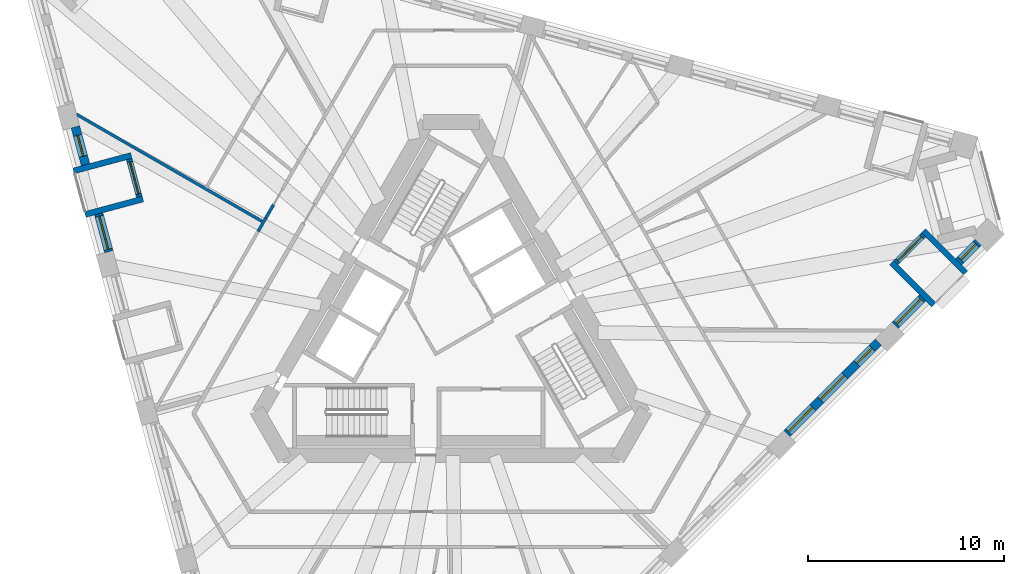
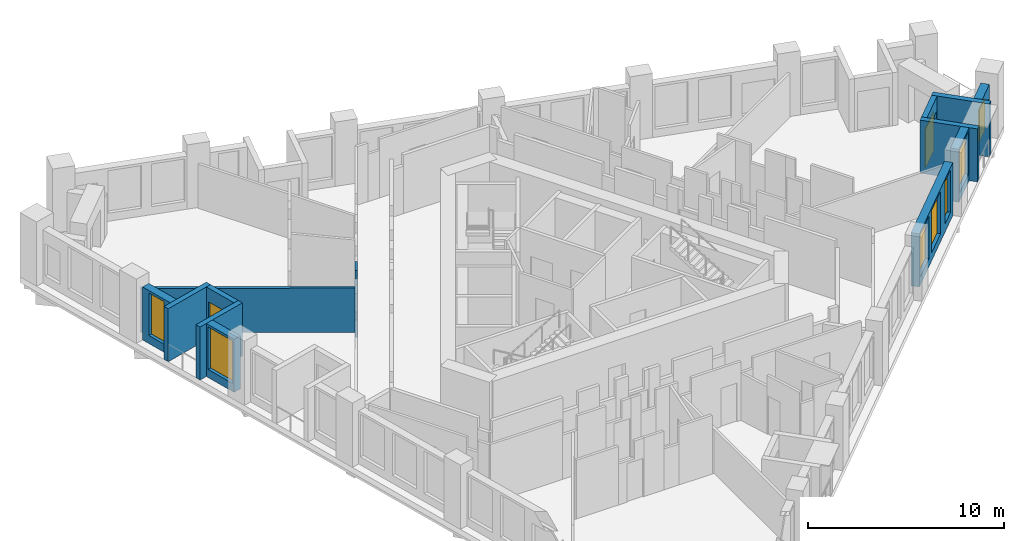
# One storey, part 6 of 13: 14 walls, 7 windows, 2 doors, 9 openings.
"""IFC4 building model written with IfcOpenShell, lengths in metres."""

import ifcopenshell
import ifcopenshell.guid

model = None  # the IFC model being written
_history = None  # IfcOwnerHistory: only IFC2X3 demands one
_inside = {}  # id of a spatial element -> (the spatial element, [elements in it])
_under = {}  # id of a project, library or spatial element -> (it, [spatial elements below it])
_declared = {}  # id of a project -> (the project, [libraries it declares])
_typed = {}  # id of a type object -> (the type object, [elements of that type])
_made_of = {}  # id of a material, layer set ... -> (it, [elements and type objects made of it])


def new_model(schema):
    """Start an empty IFC model of exactly this schema.

    Asked for "IFC4X3", IfcOpenShell would pick the latest addendum, in which some entities
    have other attributes; the version numbers below select the first issue.
    IFC2X3 requires an IfcOwnerHistory on every rooted entity: one is made here for all.
    """
    global model, _history
    if schema == "IFC4X3":
        model = ifcopenshell.file(schema_version=(4, 3, 0, 0))
    else:
        model = ifcopenshell.file(schema=schema)
    _inside.clear()
    _under.clear()
    _declared.clear()
    _typed.clear()
    _made_of.clear()
    _history = None
    if model.schema == "IFC2X3":
        org = make("IfcOrganization", Name="unknown")
        user = make(
            "IfcPersonAndOrganization",
            ThePerson=make("IfcPerson", FamilyName="unknown"),
            TheOrganization=org,
        )
        app = make(
            "IfcApplication",
            ApplicationDeveloper=org,
            Version="unknown",
            ApplicationFullName="unknown",
            ApplicationIdentifier="unknown",
        )
        _history = make(
            "IfcOwnerHistory",
            OwningUser=user,
            OwningApplication=app,
            ChangeAction="ADDED",
            CreationDate=0,
        )
    return model


def make(cls, **values):
    """One entity of the class cls with the attributes given. An attribute that is None is left unset."""
    return model.create_entity(
        cls, **{name: value for name, value in values.items() if value is not None}
    )


def rooted(cls, **values):
    """An entity with a GlobalId (a new one), such as an element, a storey or a relation."""
    return make(cls, GlobalId=ifcopenshell.guid.new(), OwnerHistory=_history, **values)


def si_unit(unit_type, name, prefix=None):
    """IfcSIUnit, for example si_unit("LENGTHUNIT", "METRE", prefix="MILLI")."""
    return make("IfcSIUnit", UnitType=unit_type, Prefix=prefix, Name=name)


def assignment(units):
    """IfcUnitAssignment: the units of a project."""
    return None if units is None else make("IfcUnitAssignment", Units=units)


def point(xyz):
    """IfcCartesianPoint."""
    return None if xyz is None else make("IfcCartesianPoint", Coordinates=xyz)


def direction(xyz):
    """IfcDirection."""
    return None if xyz is None else make("IfcDirection", DirectionRatios=xyz)


def frame(location, z_axis=None, x_axis=None):
    """IfcAxis2Placement3D, a coordinate frame: its origin and axes. An axis left out is left unset."""
    return make(
        "IfcAxis2Placement3D",
        Location=point(location),
        Axis=direction(z_axis),
        RefDirection=direction(x_axis),
    )


def frame_2d(location, x_axis=None):
    """IfcAxis2Placement2D, a coordinate frame in the plane: its origin and x axis."""
    return make(
        "IfcAxis2Placement2D", Location=point(location), RefDirection=direction(x_axis)
    )


def origin():
    """The frame at (0, 0, 0) with its axes left unset."""
    return frame((0.0, 0.0, 0.0))


def place(relative_to, where):
    """IfcLocalPlacement: puts the frame where relative to a parent placement (None: the world)."""
    return make(
        "IfcLocalPlacement", PlacementRelTo=relative_to, RelativePlacement=where
    )


def context(
    kind, dimensions, precision=None, world=None, true_north=None, identifier=None
):
    """IfcGeometricRepresentationContext, for example the 3D "Model" context."""
    return make(
        "IfcGeometricRepresentationContext",
        ContextIdentifier=identifier,
        ContextType=kind,
        CoordinateSpaceDimension=dimensions,
        Precision=precision,
        WorldCoordinateSystem=world,
        TrueNorth=true_north,
    )


def subcontext(parent, identifier, kind, view, scale=None):
    """IfcGeometricRepresentationSubContext, for example "Body" below "Model"."""
    return make(
        "IfcGeometricRepresentationSubContext",
        ContextIdentifier=identifier,
        ContextType=kind,
        ParentContext=parent,
        TargetScale=scale,
        TargetView=view,
    )


def project(units=None, contexts=None):
    """IfcProject with its units and contexts."""
    return rooted(
        "IfcProject",
        Name="project",
        RepresentationContexts=contexts,
        UnitsInContext=assignment(units),
    )


def spatial(cls, under=None, at=None, **own):
    """A site, building, storey or space (cls), placed at a placement, below another one or the project."""
    s = rooted(cls, ObjectPlacement=at, **own)
    if under is not None:
        _under.setdefault(under.id(), (under, []))[1].append(s)
    return s


def profile(cls, at=None, kind="AREA", **sizes):
    """A parametric profile (cls). Its sizes go by their IFC names, for example OverallWidth=200.0."""
    return make(cls, ProfileType=kind, Position=at, **sizes)


def rectangle(**sizes):
    """IfcRectangleProfileDef."""
    return profile("IfcRectangleProfileDef", **sizes)


def extrude(swept, where, along, depth):
    """IfcExtrudedAreaSolid: the profile swept, set in the frame where, extruded along a direction by depth."""
    return make(
        "IfcExtrudedAreaSolid",
        SweptArea=swept,
        Position=where,
        ExtrudedDirection=direction(along),
        Depth=depth,
    )


def shape(context_of_items, identifier, shape_type, items):
    """IfcShapeRepresentation: the items that make up one representation, for example the "Body"."""
    return make(
        "IfcShapeRepresentation",
        ContextOfItems=context_of_items,
        RepresentationIdentifier=identifier,
        RepresentationType=shape_type,
        Items=items,
    )


def material(Name=None, Category=None):
    """IfcMaterial."""
    return make("IfcMaterial", Name=Name, Category=Category)


def layer(
    of_material, thickness, ventilated=None, Name=None, Category=None, Priority=None
):
    """IfcMaterialLayer: one layer of a wall or slab, of a material (None: an air gap)."""
    return make(
        "IfcMaterialLayer",
        Material=of_material,
        LayerThickness=thickness,
        IsVentilated=ventilated,
        Name=Name,
        Category=Category,
        Priority=Priority,
    )


def layer_set(layers, Name=None):
    """IfcMaterialLayerSet."""
    return make("IfcMaterialLayerSet", MaterialLayers=layers, LayerSetName=Name)


def made_of(thing, what):
    """Note that an element or type object is made of a material, layer set ...; save() writes the relation."""
    if what is not None:
        _made_of.setdefault(what.id(), (what, []))[1].append(thing)
    return thing


def type_object(cls, material=None, **own):
    """A type object (cls), such as IfcWallType, which elements share."""
    return made_of(rooted(cls, **own), material)


def element(
    cls,
    number,
    at=None,
    inside=None,
    cuts=None,
    type_object=None,
    material=None,
    context=None,
    identifier="Body",
    shape_type=None,
    held_by="IfcProductDefinitionShape",
    body=None,
    shapes=None,
    **own,
):
    """One element of the class cls, such as IfcWall. Its Tag is "e" and its number.

    at: its placement. inside: the storey or other place that contains it. cuts: it is an
    opening in that element (IfcRelVoidsElement). A single representation is given by context,
    identifier, shape_type and body (its items); several are given by shapes. held_by: the class
    of the entity that holds the representations. save() writes the other relations.
    """
    e = rooted(cls, Tag="e%d" % number, ObjectPlacement=at, **own)
    if body is not None:
        shapes = [shape(context, identifier, shape_type, body)]
    if shapes is not None:
        e.Representation = make(held_by, Representations=shapes)
    if inside is not None:
        _inside.setdefault(inside.id(), (inside, []))[1].append(e)
    if cuts is not None:
        rooted(
            "IfcRelVoidsElement", RelatingBuildingElement=cuts, RelatedOpeningElement=e
        )
    if type_object is not None:
        _typed.setdefault(type_object.id(), (type_object, []))[1].append(e)
    return made_of(e, material)


def fill(opening, filler):
    """IfcRelFillsElement: the door or window that sits in an opening."""
    return rooted(
        "IfcRelFillsElement",
        RelatingOpeningElement=opening,
        RelatedBuildingElement=filler,
    )


def aggregate(whole, parts):
    """IfcRelAggregates: a whole, such as a stair, and the parts it consists of."""
    return rooted("IfcRelAggregates", RelatingObject=whole, RelatedObjects=parts)


def save(model, path):
    """Write the relations noted so far, then the file.

    IfcRelAggregates (storeys below a building ...), IfcRelContainedInSpatialStructure (elements
    in a storey), IfcRelDefinesByType, IfcRelAssociatesMaterial and IfcRelDeclares: one each for
    every whole, place, type object, material and project.
    """
    for whole, parts in _under.values():
        aggregate(whole, parts)
    for where, things in _inside.values():
        rooted(
            "IfcRelContainedInSpatialStructure",
            RelatedElements=things,
            RelatingStructure=where,
        )
    for kind, things in _typed.values():
        rooted("IfcRelDefinesByType", RelatedObjects=things, RelatingType=kind)
    for what, things in _made_of.values():
        rooted("IfcRelAssociatesMaterial", RelatedObjects=things, RelatingMaterial=what)
    for by, libraries in _declared.values():
        rooted("IfcRelDeclares", RelatingContext=by, RelatedDefinitions=libraries)
    model.write(path)


model = new_model("IFC4")

# Units and contexts
model_context = context("Model", 3, precision=1e-05, world=origin(), true_north=direction((0.0, 1.0)))
body_context = subcontext(model_context, "Body", "Model", "MODEL_VIEW")
ifc_project = project(units=[si_unit("LENGTHUNIT", "METRE"), si_unit("AREAUNIT", "SQUARE_METRE"), si_unit("VOLUMEUNIT", "CUBIC_METRE"), si_unit("PLANEANGLEUNIT", "RADIAN"), si_unit("MASSUNIT", "GRAM", prefix="KILO")], contexts=[model_context])

# Site, building, storey
site_placement = place(None, origin())
site = spatial("IfcSite", under=ifc_project, at=site_placement, CompositionType="ELEMENT")
building_placement = place(site_placement, origin())
building = spatial("IfcBuilding", under=site, at=building_placement, Name="Tramontana Tower", CompositionType="ELEMENT")
storey_placement = place(building_placement, frame((0.0, 0.0, 204.0)))
storey = spatial("IfcBuildingStorey", under=building, at=storey_placement, Name="L47", CompositionType="ELEMENT", Elevation=204.0)

# Wall, opening, window
ifc_material_1 = material(Name="Precast concrete 60 MPa", Category="concrete")
ifc_layer_1 = layer(ifc_material_1, 0.449951171875)
ifc_layer_set_1 = layer_set([ifc_layer_1], Name="Precast concrete 60 MPa, 450 mm")
wall_type_1 = type_object("IfcWallType", Name="EW1 Stone-faced precast wall 450", PredefinedType="SOLIDWALL", material=ifc_layer_set_1)
wall_1_placement = place(storey_placement, frame((-19.1650390625, 10.3818359375, 0.0), z_axis=(0.0, 0.0, 1.0), x_axis=(0.258803270362, -0.96593005298, 0.0)))
wall_1 = element("IfcWall", 1, at=wall_1_placement, inside=storey, type_object=wall_type_1, Name="External wall L47 face 0 bay 2", PredefinedType="SOLIDWALL", context=body_context, shape_type="SweptSolid", body=[
    extrude(rectangle(XDim=1.998046875, YDim=0.449951171875, at=frame_2d((0.9990234375, 0.0))), origin(), (0.0, 0.0, 1.0), 3.300048828125),
])
opening_1_placement = place(wall_1_placement, frame((0.448974609375, 0.0, 0.5)))
opening_1 = element("IfcOpeningElement", 2, at=opening_1_placement, cuts=wall_1, Name="Opening N2", PredefinedType="OPENING", context=body_context, shape_type="SweptSolid", body=[
    extrude(rectangle(XDim=1.10009765625, YDim=2.64990234375, at=frame_2d((0.550048828125, 1.324951171875))), frame((0.0, 0.23486328125, 0.0), z_axis=(0.0, -1.0, 0.0), x_axis=(1.0, 0.0, 0.0)), (0.0, 0.0, 1.0), 0.469970703125),
])
ifc_material_2 = material(Name="Aluminum frame, double glazing unit", Category="aluminium")
window_type_1 = type_object("IfcWindowType", Name="N2 Window 1.1 x 2.65", PartitioningType="SINGLE_PANEL", PredefinedType="WINDOW", material=ifc_material_2)
window_1_placement = place(opening_1_placement, origin())
window_1 = element("IfcWindow", 3, at=window_1_placement, inside=storey, type_object=window_type_1, Name="Window N2 L47 face 0 module 4", OverallHeight=2.64990234375, OverallWidth=1.10009765625, PartitioningType="SINGLE_PANEL", PredefinedType="WINDOW", context=body_context, shape_type="SweptSolid", body=[
    extrude(rectangle(XDim=1.10009765625, YDim=2.64990234375, at=frame_2d((0.550048828125, 1.324951171875))), frame((0.0, 0.030029296875, 0.0), z_axis=(0.0, -1.0, 0.0), x_axis=(1.0, 0.0, 0.0)), (0.0, 0.0, 1.0), 0.06005859375),
])
fill(opening_1, window_1)

wall_2_placement = place(storey_placement, frame((-17.9755859375, 5.9423828125, 0.0), z_axis=(0.0, 0.0, 1.0), x_axis=(0.25891727291, -0.965899500874, 0.0)))
wall_2 = element("IfcWall", 4, at=wall_2_placement, inside=storey, type_object=wall_type_1, Name="External wall L47 face 0 bay 2", PredefinedType="SOLIDWALL", context=body_context, shape_type="SweptSolid", body=[
    extrude(rectangle(XDim=1.998046875, YDim=0.449951171875, at=frame_2d((0.9990234375, 0.0))), origin(), (0.0, 0.0, 1.0), 3.300048828125),
])
opening_2_placement = place(wall_2_placement, frame((0.1240234375, 0.0, 0.5)))
opening_2 = element("IfcOpeningElement", 5, at=opening_2_placement, cuts=wall_2, Name="Opening M2", PredefinedType="OPENING", context=body_context, shape_type="SweptSolid", body=[
    extrude(rectangle(XDim=1.75, YDim=2.64990234375, at=frame_2d((0.875, 1.324951171875))), frame((0.0, 0.23486328125, 0.0), z_axis=(0.0, -1.0, 0.0), x_axis=(1.0, 0.0, 0.0)), (0.0, 0.0, 1.0), 0.469970703125),
])
ifc_material_3 = material(Name="Aluminum frame, double glazing unit", Category="aluminium")
window_type_2 = type_object("IfcWindowType", Name="M2 Window 1.75 x 2.65", PartitioningType="SINGLE_PANEL", PredefinedType="WINDOW", material=ifc_material_3)
window_2_placement = place(opening_2_placement, origin())
window_2 = element("IfcWindow", 6, at=window_2_placement, inside=storey, type_object=window_type_2, Name="Window M2 L47 face 0 module 6", OverallHeight=2.64990234375, OverallWidth=1.75, PartitioningType="SINGLE_PANEL", PredefinedType="WINDOW", context=body_context, shape_type="SweptSolid", body=[
    extrude(rectangle(XDim=1.75, YDim=2.64990234375, at=frame_2d((0.875, 1.324951171875))), frame((0.0, 0.030029296875, 0.0), z_axis=(0.0, -1.0, 0.0), x_axis=(1.0, 0.0, 0.0)), (0.0, 0.0, 1.0), 0.06005859375),
])
fill(opening_2, window_2)

# Wall, openings, windows
wall_3_placement = place(storey_placement, frame((17.12548828125, -5.25439453125, 0.0), z_axis=(0.0, 0.0, 1.0), x_axis=(0.707106781187, 0.707106781187, 0.0)))
wall_3 = element("IfcWall", 7, at=wall_3_placement, inside=storey, type_object=wall_type_1, Name="External wall L47 face 1 bay 5", PredefinedType="SOLIDWALL", context=body_context, shape_type="SweptSolid", body=[
    extrude(rectangle(XDim=6.59423828125, YDim=0.449951171875, at=frame_2d((3.297119140625, 0.0))), origin(), (0.0, 0.0, 1.0), 3.300048828125),
])
opening_3_placement = place(wall_3_placement, frame((0.1240234375, 0.0, 0.5)))
opening_3 = element("IfcOpeningElement", 8, at=opening_3_placement, cuts=wall_3, Name="Opening M2", PredefinedType="OPENING", context=body_context, shape_type="SweptSolid", body=[
    extrude(rectangle(XDim=1.75, YDim=2.64990234375, at=frame_2d((0.875, 1.324951171875))), frame((0.0, 0.23486328125, 0.0), z_axis=(0.0, -1.0, 0.0), x_axis=(1.0, 0.0, 0.0)), (0.0, 0.0, 1.0), 0.469970703125),
])
opening_4_placement = place(wall_3_placement, frame((2.422119140625, 0.0, 0.5)))
opening_4 = element("IfcOpeningElement", 9, at=opening_4_placement, cuts=wall_3, Name="Opening M2", PredefinedType="OPENING", context=body_context, shape_type="SweptSolid", body=[
    extrude(rectangle(XDim=1.75, YDim=2.64990234375, at=frame_2d((0.875, 1.324951171875))), frame((0.0, 0.23486328125, 0.0), z_axis=(0.0, -1.0, 0.0), x_axis=(1.0, 0.0, 0.0)), (0.0, 0.0, 1.0), 0.469970703125),
])
opening_5_placement = place(wall_3_placement, frame((5.045166015625, 0.0, 0.5)))
opening_5 = element("IfcOpeningElement", 10, at=opening_5_placement, cuts=wall_3, Name="Opening N2", PredefinedType="OPENING", context=body_context, shape_type="SweptSolid", body=[
    extrude(rectangle(XDim=1.10009765625, YDim=2.64990234375, at=frame_2d((0.550048828125, 1.324951171875))), frame((0.0, 0.23486328125, 0.0), z_axis=(0.0, -1.0, 0.0), x_axis=(1.0, 0.0, 0.0)), (0.0, 0.0, 1.0), 0.469970703125),
])
window_3_placement = place(opening_3_placement, origin())
window_3 = element("IfcWindow", 11, at=window_3_placement, inside=storey, type_object=window_type_2, Name="Window M2 L47 face 1 module 13", OverallHeight=2.64990234375, OverallWidth=1.75, PartitioningType="SINGLE_PANEL", PredefinedType="WINDOW", context=body_context, shape_type="SweptSolid", body=[
    extrude(rectangle(XDim=1.75, YDim=2.64990234375, at=frame_2d((0.875, 1.324951171875))), frame((0.0, 0.030029296875, 0.0), z_axis=(0.0, -1.0, 0.0), x_axis=(1.0, 0.0, 0.0)), (0.0, 0.0, 1.0), 0.06005859375),
])
fill(opening_3, window_3)
window_4_placement = place(opening_4_placement, origin())
window_4 = element("IfcWindow", 12, at=window_4_placement, inside=storey, type_object=window_type_2, Name="Window M2 L47 face 1 module 14", OverallHeight=2.64990234375, OverallWidth=1.75, PartitioningType="SINGLE_PANEL", PredefinedType="WINDOW", context=body_context, shape_type="SweptSolid", body=[
    extrude(rectangle(XDim=1.75, YDim=2.64990234375, at=frame_2d((0.875, 1.324951171875))), frame((0.0, 0.030029296875, 0.0), z_axis=(0.0, -1.0, 0.0), x_axis=(1.0, 0.0, 0.0)), (0.0, 0.0, 1.0), 0.06005859375),
])
fill(opening_4, window_4)
window_5_placement = place(opening_5_placement, origin())
window_5 = element("IfcWindow", 13, at=window_5_placement, inside=storey, type_object=window_type_1, Name="Window N2 L47 face 1 module 15", OverallHeight=2.64990234375, OverallWidth=1.10009765625, PartitioningType="SINGLE_PANEL", PredefinedType="WINDOW", context=body_context, shape_type="SweptSolid", body=[
    extrude(rectangle(XDim=1.10009765625, YDim=2.64990234375, at=frame_2d((0.550048828125, 1.324951171875))), frame((0.0, 0.030029296875, 0.0), z_axis=(0.0, -1.0, 0.0), x_axis=(1.0, 0.0, 0.0)), (0.0, 0.0, 1.0), 0.06005859375),
])
fill(opening_5, window_5)

# Wall, opening, window
wall_4_placement = place(storey_placement, frame((22.636962890625, 0.257080078125, 0.0), z_axis=(0.0, 0.0, 1.0), x_axis=(0.707106781187, 0.707106781187, 0.0)))
wall_4 = element("IfcWall", 14, at=wall_4_placement, inside=storey, type_object=wall_type_1, Name="External wall L47 face 1 bay 6", PredefinedType="SOLIDWALL", context=body_context, shape_type="SweptSolid", body=[
    extrude(rectangle(XDim=1.998046875, YDim=0.449951171875, at=frame_2d((0.9990234375, 0.0))), origin(), (0.0, 0.0, 1.0), 3.300048828125),
])
opening_6_placement = place(wall_4_placement, frame((0.1240234375, 0.0, 0.5)))
opening_6 = element("IfcOpeningElement", 15, at=opening_6_placement, cuts=wall_4, Name="Opening M2", PredefinedType="OPENING", context=body_context, shape_type="SweptSolid", body=[
    extrude(rectangle(XDim=1.75, YDim=2.64990234375, at=frame_2d((0.875, 1.324951171875))), frame((0.0, 0.23486328125, 0.0), z_axis=(0.0, -1.0, 0.0), x_axis=(1.0, 0.0, 0.0)), (0.0, 0.0, 1.0), 0.469970703125),
])
window_6_placement = place(opening_6_placement, origin())
window_6 = element("IfcWindow", 16, at=window_6_placement, inside=storey, type_object=window_type_2, Name="Window M2 L47 face 1 module 16", OverallHeight=2.64990234375, OverallWidth=1.75, PartitioningType="SINGLE_PANEL", PredefinedType="WINDOW", context=body_context, shape_type="SweptSolid", body=[
    extrude(rectangle(XDim=1.75, YDim=2.64990234375, at=frame_2d((0.875, 1.324951171875))), frame((0.0, 0.030029296875, 0.0), z_axis=(0.0, -1.0, 0.0), x_axis=(1.0, 0.0, 0.0)), (0.0, 0.0, 1.0), 0.06005859375),
])
fill(opening_6, window_6)

wall_5_placement = place(storey_placement, frame((25.886962890625, 3.507080078125, 0.0), z_axis=(0.0, 0.0, 1.0), x_axis=(0.707106781187, 0.707106781187, 0.0)))
wall_5 = element("IfcWall", 17, at=wall_5_placement, inside=storey, type_object=wall_type_1, Name="External wall L47 face 1 bay 6", PredefinedType="SOLIDWALL", context=body_context, shape_type="SweptSolid", body=[
    extrude(rectangle(XDim=1.39794921875, YDim=0.449951171875, at=frame_2d((0.698974609375, 0.0))), origin(), (0.0, 0.0, 1.0), 3.300048828125),
])
opening_7_placement = place(wall_5_placement, frame((0.14892578125, 0.0, 0.5)))
opening_7 = element("IfcOpeningElement", 18, at=opening_7_placement, cuts=wall_5, Name="Opening N2L", PredefinedType="OPENING", context=body_context, shape_type="SweptSolid", body=[
    extrude(rectangle(XDim=1.10009765625, YDim=2.0, at=frame_2d((0.550048828125, 1.0))), frame((0.0, 0.23486328125, 0.0), z_axis=(0.0, -1.0, 0.0), x_axis=(1.0, 0.0, 0.0)), (0.0, 0.0, 1.0), 0.469970703125),
])
ifc_material_4 = material(Name="Aluminum frame, double glazing unit", Category="aluminium")
window_type_3 = type_object("IfcWindowType", Name="N2L Window 1.1 x 2", PartitioningType="SINGLE_PANEL", PredefinedType="WINDOW", material=ifc_material_4)
window_7_placement = place(opening_7_placement, origin())
window_7 = element("IfcWindow", 19, at=window_7_placement, inside=storey, type_object=window_type_3, Name="Window N2L L47 face 1 module 18", OverallHeight=2.0, OverallWidth=1.10009765625, PartitioningType="SINGLE_PANEL", PredefinedType="WINDOW", context=body_context, shape_type="SweptSolid", body=[
    extrude(rectangle(XDim=1.10009765625, YDim=2.0, at=frame_2d((0.550048828125, 1.0))), frame((0.0, 0.030029296875, 0.0), z_axis=(0.0, -1.0, 0.0), x_axis=(1.0, 0.0, 0.0)), (0.0, 0.0, 1.0), 0.06005859375),
])
fill(opening_7, window_7)

# Wall, opening, door
ifc_material_5 = material(Name="Precast concrete 60 MPa", Category="concrete")
ifc_layer_2 = layer(ifc_material_5, 0.300048828125)
ifc_layer_set_2 = layer_set([ifc_layer_2], Name="LW1 Stone-faced loggia wall 300")
wall_type_2 = type_object("IfcWallType", Name="LW1 Stone-faced loggia wall 300", PredefinedType="SOLIDWALL", material=ifc_layer_set_2)
wall_6_placement = place(storey_placement, frame((-16.421142578125, 8.738037109375, 0.0), z_axis=(0.0, 0.0, 1.0), x_axis=(0.258803270362, -0.96593005298, 0.0)))
wall_6 = element("IfcWall", 20, at=wall_6_placement, inside=storey, type_object=wall_type_2, Name="Loggia wall L47 G5S0.4", PredefinedType="SOLIDWALL", context=body_context, shape_type="SweptSolid", body=[
    extrude(rectangle(XDim=1.998046875, YDim=0.300048828125, at=frame_2d((0.9990234375, 0.0))), origin(), (0.0, 0.0, 1.0), 3.300048828125),
])
opening_8_placement = place(wall_6_placement, frame((0.14892578125, 0.0, 0.0)))
opening_8 = element("IfcOpeningElement", 21, at=opening_8_placement, cuts=wall_6, Name="Opening BD-5S0-04", PredefinedType="OPENING", context=body_context, shape_type="SweptSolid", body=[
    extrude(rectangle(XDim=1.699951171875, YDim=2.449951171875, at=frame_2d((0.85009765625, 1.22509765625))), frame((0.0, 0.159912109375, 0.0), z_axis=(0.0, -1.0, 0.0), x_axis=(1.0, 0.0, 0.0)), (0.0, 0.0, 1.0), 0.320068359375),
])
ifc_material_6 = material(Name="Aluminum frame, double glazing unit", Category="aluminium")
door_type = type_object("IfcDoorType", Name="BD2 Sliding door 1.7 x 2.45", OperationType="SLIDING_TO_LEFT", PredefinedType="DOOR", material=ifc_material_6)
door_1_placement = place(opening_8_placement, origin())
door_1 = element("IfcDoor", 22, at=door_1_placement, inside=storey, type_object=door_type, Name="Loggia door L47 G5S0.4", OperationType="SLIDING_TO_LEFT", OverallHeight=2.449951171875, OverallWidth=1.699951171875, PredefinedType="DOOR", context=body_context, shape_type="SweptSolid", body=[
    extrude(rectangle(XDim=1.699951171875, YDim=2.449951171875, at=frame_2d((0.85009765625, 1.22509765625))), frame((0.0, 0.02490234375, 0.0), z_axis=(0.0, -1.0, 0.0), x_axis=(1.0, 0.0, 0.0)), (0.0, 0.0, 1.0), 0.050048828125),
])
fill(opening_8, door_1)

# Walls
wall_7_placement = place(storey_placement, frame((-19.26123046875, 8.13232421875, 0.0), z_axis=(0.0, 0.0, 1.0), x_axis=(0.9659380486, 0.25877342651, 0.0)))
element("IfcWall", 23, at=wall_7_placement, inside=storey, type_object=wall_type_2, Name="Loggia return L47 G5S0.4a", PredefinedType="SOLIDWALL", context=body_context, shape_type="SweptSolid", body=[
    extrude(rectangle(XDim=3.05029296875, YDim=0.300048828125, at=frame_2d((1.525146484375, 0.0))), origin(), (0.0, 0.0, 1.0), 3.300048828125),
])
wall_8_placement = place(storey_placement, frame((-18.666259765625, 5.91259765625, 0.0), z_axis=(0.0, 0.0, 1.0), x_axis=(0.965932688119, 0.258793435045, 0.0)))
element("IfcWall", 24, at=wall_8_placement, inside=storey, type_object=wall_type_2, Name="Loggia return L47 G5S0.4b", PredefinedType="SOLIDWALL", context=body_context, shape_type="SweptSolid", body=[
    extrude(rectangle(XDim=3.050048828125, YDim=0.300048828125, at=frame_2d((1.52490234375, 0.0))), origin(), (0.0, 0.0, 1.0), 3.300048828125),
])

# Wall, opening, door
wall_9_placement = place(storey_placement, frame((22.688720703125, 3.455322265625, 0.0), z_axis=(0.0, 0.0, 1.0), x_axis=(0.707106781187, 0.707106781187, 0.0)))
wall_9 = element("IfcWall", 25, at=wall_9_placement, inside=storey, type_object=wall_type_2, Name="Loggia wall L47 G5S1.16", PredefinedType="SOLIDWALL", context=body_context, shape_type="SweptSolid", body=[
    extrude(rectangle(XDim=1.998046875, YDim=0.300048828125, at=frame_2d((0.9990234375, 0.0))), origin(), (0.0, 0.0, 1.0), 3.300048828125),
])
opening_9_placement = place(wall_9_placement, frame((0.14892578125, 0.0, 0.0)))
opening_9 = element("IfcOpeningElement", 26, at=opening_9_placement, cuts=wall_9, Name="Opening BD-5S1-16", PredefinedType="OPENING", context=body_context, shape_type="SweptSolid", body=[
    extrude(rectangle(XDim=1.699951171875, YDim=2.449951171875, at=frame_2d((0.85009765625, 1.22509765625))), frame((0.0, 0.159912109375, 0.0), z_axis=(0.0, -1.0, 0.0), x_axis=(1.0, 0.0, 0.0)), (0.0, 0.0, 1.0), 0.320068359375),
])
door_2_placement = place(opening_9_placement, origin())
door_2 = element("IfcDoor", 27, at=door_2_placement, inside=storey, type_object=door_type, Name="Loggia door L47 G5S1.16", OperationType="SLIDING_TO_LEFT", OverallHeight=2.449951171875, OverallWidth=1.699951171875, PredefinedType="DOOR", context=body_context, shape_type="SweptSolid", body=[
    extrude(rectangle(XDim=1.699951171875, YDim=2.449951171875, at=frame_2d((0.85009765625, 1.22509765625))), frame((0.0, 0.02490234375, 0.0), z_axis=(0.0, -1.0, 0.0), x_axis=(1.0, 0.0, 0.0)), (0.0, 0.0, 1.0), 0.050048828125),
])
fill(opening_9, door_2)

# Walls
for number, where, z_axis, x_axis, name in (
    (28, (24.633056640625, 1.298583984375, 0.0), (0.0, 0.0, 1.0), (-0.707066755897, 0.707146804211, 0.0), "Loggia return L47 G5S1.16a"),
    (29, (26.258056640625, 2.923583984375, 0.0), (0.0, 0.0, 1.0), (-0.707066755897, 0.707146804211, 0.0), "Loggia return L47 G5S1.16b"),
):
    element("IfcWall", number, at=place(storey_placement, frame(where, z_axis=z_axis, x_axis=x_axis)), inside=storey, type_object=wall_type_2, Name=name, PredefinedType="SOLIDWALL", context=body_context, shape_type="SweptSolid", body=[
        extrude(rectangle(XDim=3.0498046875, YDim=0.300048828125, at=frame_2d((1.52490234375, 0.0))), origin(), (0.0, 0.0, 1.0), 3.300048828125),
    ])
ifc_material_7 = material(Name="Gypsum board partition")
ifc_layer_3 = layer(ifc_material_7, 0.14990234375)
ifc_layer_set_3 = layer_set([ifc_layer_3], Name="PARTITION 150")
wall_type_3 = type_object("IfcWallType", Name="PARTITION 150", PredefinedType="PARTITIONING", material=ifc_layer_set_3)
wall_10_placement = place(storey_placement, frame((-9.843994140625, 5.0498046875, 0.0), z_axis=(0.0, 0.0, 1.0), x_axis=(0.500204125617, 0.865907519724, 0.0)))
element("IfcWall", 30, at=wall_10_placement, inside=storey, type_object=wall_type_3, Name="Wall v50-pw00-4", PredefinedType="PARTITIONING", context=body_context, shape_type="SweptSolid", body=[
    extrude(rectangle(XDim=0.775146484375, YDim=0.14990234375, at=frame_2d((0.3876953125, 0.0))), origin(), (0.0, 0.0, 1.0), 2.75),
])
wall_11_placement = place(storey_placement, frame((-9.456298828125, 5.720947265625, 0.0), z_axis=(0.0, 0.0, 1.0), x_axis=(0.499874568293, 0.866097809704, 0.0)))
element("IfcWall", 31, at=wall_11_placement, inside=storey, type_object=wall_type_3, Name="Wall v50-pw00-5", PredefinedType="PARTITIONING", context=body_context, shape_type="SweptSolid", body=[
    extrude(rectangle(XDim=0.787353515625, YDim=0.14990234375, at=frame_2d((0.3935546875, 0.0))), origin(), (0.0, 0.0, 1.0), 3.64990234375),
])
wall_12_placement = place(storey_placement, frame((-9.63671875, 5.55908203125, 0.0), z_axis=(0.0, 0.0, 1.0), x_axis=(-0.866210875497, 0.499678615883, 0.0)))
element("IfcWall", 32, at=wall_12_placement, inside=storey, type_object=wall_type_3, Name="Wall v50-pw06-0", PredefinedType="PARTITIONING", context=body_context, shape_type="SweptSolid", body=[
    extrude(rectangle(XDim=10.928466796875, YDim=0.14990234375, at=frame_2d((5.46435546875, 0.0))), origin(), (0.0, 0.0, 1.0), 2.75),
])

save(model, "model.ifc")
